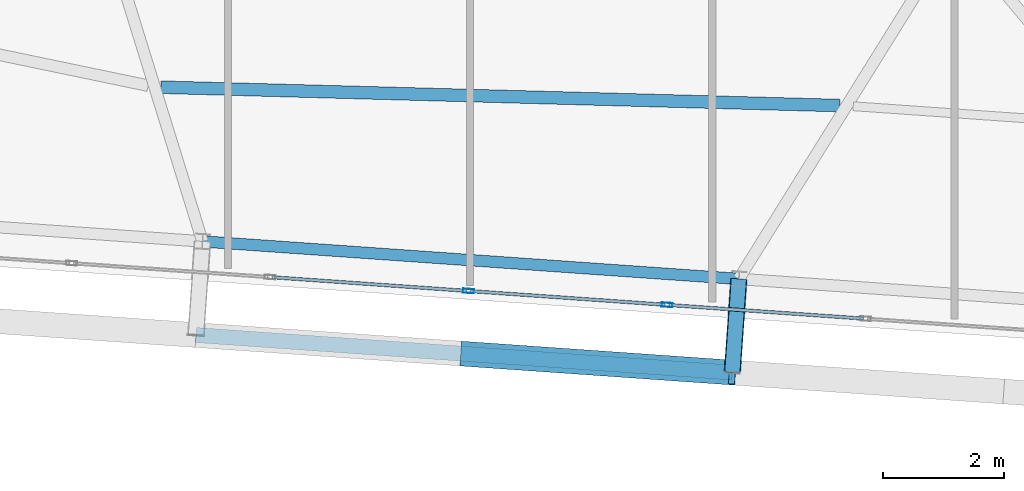
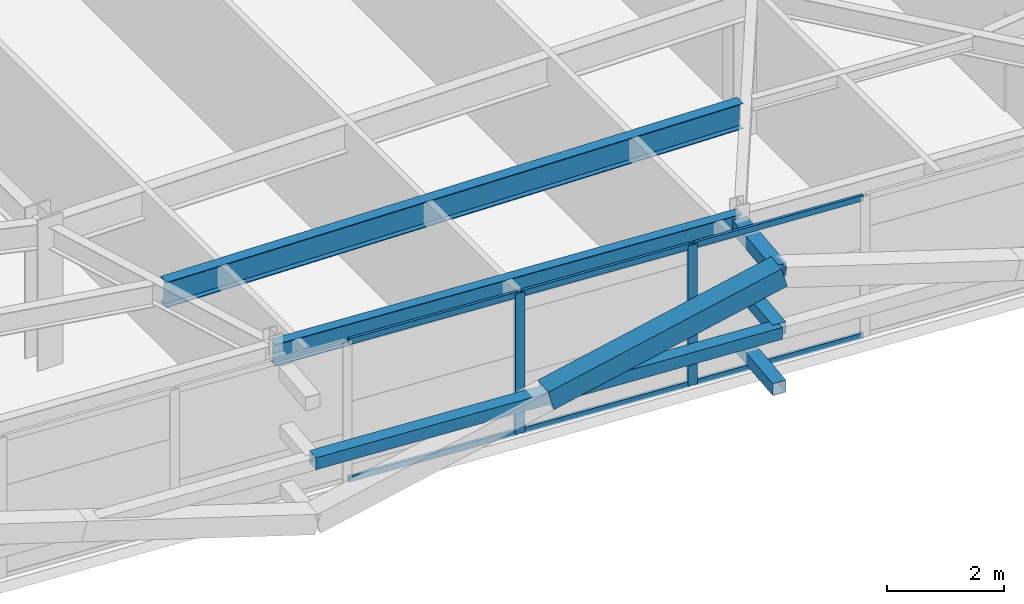
# One storey, part 12 of 47: 13 members, 2 beams, 1 element without a shape of its own.
"""IFC4 building model written with IfcOpenShell, lengths in metres."""

from ifc_helpers import new_model, si_unit, direction, frame, origin, origin_2d, place, context, subcontext, project, spatial, hollow_rectangle, i_section, extrude, source, transform, mapped, material, layer, layer_set, material_profile, profile_set, type_object, element, aggregate, save


model = new_model("IFC4")

# Units and contexts
model_context = context("Model", 3, precision=1e-05, world=origin(), true_north=direction((0.0, 1.0)))
body_context = subcontext(model_context, "Body", "Model", "MODEL_VIEW")
ifc_project = project(units=[si_unit("LENGTHUNIT", "METRE"), si_unit("AREAUNIT", "SQUARE_METRE"), si_unit("VOLUMEUNIT", "CUBIC_METRE"), si_unit("PLANEANGLEUNIT", "RADIAN"), si_unit("MASSUNIT", "GRAM", prefix="KILO")], contexts=[model_context])

# Site, building, storey
site_placement = place(None, origin())
site = spatial("IfcSite", under=ifc_project, at=site_placement, CompositionType="ELEMENT")
building_placement = place(site_placement, origin())
building = spatial("IfcBuilding", under=site, at=building_placement, Name="Taldren Reach Tower", CompositionType="ELEMENT")
storey_placement = place(building_placement, frame((0.0, 0.0, 139.300048828125)))
storey = spatial("IfcBuildingStorey", under=building, at=storey_placement, Name="L42", CompositionType="ELEMENT", Elevation=139.300048828125)

# Members
ifc_material_1 = material(Name="Steel Gr 450 (C450L0)", Category="steel")
ifc_material_profile_1 = material_profile(ifc_material_1, hollow_rectangle(XDim=0.27490234375, YDim=0.27490234375, WallThickness=0.00927734375, at=origin_2d()), Name="275x275x9.3SHS")
ifc_profile_set_1 = profile_set([ifc_material_profile_1], Name="Steel Gr 450 (C450L0)")
member_type_1 = type_object("IfcMemberType", Name="MB-TIE273", PredefinedType="STRUT", material=ifc_profile_set_1)
shared_shape_1 = source(origin(), body_context, "Body", "SweptSolid", [
    extrude(hollow_rectangle(XDim=0.27490234375, YDim=0.27490234375, WallThickness=0.00927734375, at=origin_2d()), origin(), (0.0, 0.0, 1.0), 1.550048828125),
])
member_1_placement = place(storey_placement, frame((38.438720703125, 3.480224609375, 2.64990234375), z_axis=(-0.06976957191, -0.99756313426, 0.0), x_axis=(0.99756313426, -0.06976957191, 0.0)))
element("IfcMember", 1, at=member_1_placement, inside=storey, type_object=member_type_1, Name="Exoskeleton diaphragm tie strut B3-S4 L42", PredefinedType="STRUT", context=body_context, shape_type="MappedRepresentation", body=[
    mapped(shared_shape_1, transform((0.0, 0.0, 0.0), scale=1.0)),
])
ifc_material_2 = material(Name="Steel Gr 350 (C350L0)", Category="steel")
ifc_material_profile_2 = material_profile(ifc_material_2, hollow_rectangle(XDim=0.25, YDim=0.25, WallThickness=0.010009765625, at=origin_2d()), Name="250x250x10.0SHS")
ifc_profile_set_2 = profile_set([ifc_material_profile_2], Name="Steel Gr 350 (C350L0)")
member_type_2 = type_object("IfcMemberType", Name="MB-POST250", PredefinedType="POST", material=ifc_profile_set_2)
shared_shape_2 = source(origin(), body_context, "Body", "SweptSolid", [
    extrude(hollow_rectangle(XDim=0.25, YDim=0.25, WallThickness=0.010009765625, at=origin_2d()), origin(), (0.0, 0.0, 1.0), 1.550048828125),
])
for number, where, z_axis, x_axis, name in (
    (2, (38.438720703125, 3.480224609375, 0.219970703125), (-0.06976957191, -0.99756313426, 0.0), (0.99756313426, -0.06976957191, 0.0), "Exoskeleton base diaphragm tie strut B3-S4 L42"),
    (3, (38.438720703125, 3.480224609375, 1.43505859375), (-0.06976957191, -0.99756313426, 0.0), (0.99756313426, -0.06976957191, 0.0), "Exoskeleton mid-tier diaphragm tie B3-S4 L42"),
):
    element("IfcMember", number, at=place(storey_placement, frame(where, z_axis=z_axis, x_axis=x_axis)), inside=storey, type_object=member_type_2, Name=name, PredefinedType="POST", context=body_context, shape_type="MappedRepresentation", body=[
        mapped(shared_shape_2, transform((0.0, 0.0, 0.0), scale=1.0)),
    ])

# Beams
ifc_material_3 = material(Name="Steel Gr 350 (350PLUS)", Category="steel")
ifc_material_profile_3 = material_profile(ifc_material_3, i_section(OverallWidth=0.18994140625, OverallDepth=0.4541015625, WebThickness=0.008544921875, FlangeThickness=0.0126953125, at=origin_2d()), Name="460UB67.1")
ifc_profile_set_3 = profile_set([ifc_material_profile_3], Name="Steel Gr 350 (350PLUS)")
beam_type_1 = type_object("IfcBeamType", Name="SP-UB460B", PredefinedType="SPANDREL", material=ifc_profile_set_3)
shared_shape_3 = source(origin(), body_context, "Body", "SweptSolid", [
    extrude(i_section(OverallWidth=0.18994140625, OverallDepth=0.4541015625, WebThickness=0.008544921875, FlangeThickness=0.0126953125, at=origin_2d()), origin(), (0.0, 0.0, 1.0), 8.880126953125),
])
beam_1_placement = place(storey_placement, frame((29.580322265625, 4.099609375, 2.702880859375), z_axis=(0.997564479639, -0.069750333063, 0.0), x_axis=(0.069750333063, 0.997564479639, 0.0)))
element("IfcBeam", 4, at=beam_1_placement, inside=storey, type_object=beam_type_1, Name="Perimeter spandrel B3 S3-S4 L42", PredefinedType="SPANDREL", context=body_context, shape_type="MappedRepresentation", body=[
    mapped(shared_shape_3, transform((0.0, 0.0, 0.0), scale=1.0)),
])
ifc_material_profile_4 = material_profile(ifc_material_3, i_section(OverallWidth=0.208984375, OverallDepth=0.532958984375, WebThickness=0.01025390625, FlangeThickness=0.015625, at=origin_2d()), Name="530UB92.4")
ifc_profile_set_4 = profile_set([ifc_material_profile_4], Name="Steel Gr 350 (350PLUS)")
beam_type_2 = type_object("IfcBeamType", Name="BM-UB530A", PredefinedType="BEAM", material=ifc_profile_set_4)
shared_shape_4 = source(origin(), body_context, "Body", "SweptSolid", [
    extrude(i_section(OverallWidth=0.208984375, OverallDepth=0.532958984375, WebThickness=0.01025390625, FlangeThickness=0.015625, at=origin_2d()), origin(), (0.0, 0.0, 1.0), 11.221923828125),
])
beam_2_placement = place(storey_placement, frame((28.890869140625, 6.64697265625, 2.663330078125), z_axis=(0.999633109536, -0.027085906272, 0.0), x_axis=(0.027085906272, 0.999633109536, 0.0)))
element("IfcBeam", 5, at=beam_2_placement, inside=storey, type_object=beam_type_2, Name="Secondary floor beam B3 J3 L42", PredefinedType="BEAM", context=body_context, shape_type="MappedRepresentation", body=[
    mapped(shared_shape_4, transform((0.0, 0.0, 0.0), scale=1.0)),
])

# Members
shared_shape_5 = source(origin(), body_context, "Body", "SweptSolid", [
    extrude(hollow_rectangle(XDim=0.25, YDim=0.25, WallThickness=0.010009765625, at=origin_2d()), origin(), (0.0, 0.0, 1.0), 8.880126953125),
])
member_2_placement = place(storey_placement, frame((29.47216796875, 2.55322265625, 1.43505859375), z_axis=(0.997564479639, -0.069750333063, 0.0), x_axis=(0.069750333063, 0.997564479639, 0.0)))
element("IfcMember", 6, at=member_2_placement, inside=storey, type_object=member_type_2, Name="Exoskeleton mid-height ring chord B3-S3 L42", PredefinedType="POST", context=body_context, shape_type="MappedRepresentation", body=[
    mapped(shared_shape_5, transform((0.0, 0.0, 0.0), scale=1.0)),
])
ifc_material_profile_5 = material_profile(ifc_material_1, hollow_rectangle(XDim=0.409912109375, YDim=0.409912109375, WallThickness=0.01611328125, at=origin_2d()), Name="410x410x16.0SHS")
ifc_profile_set_5 = profile_set([ifc_material_profile_5], Name="Steel Gr 450 (C450L0)")
member_type_3 = type_object("IfcMemberType", Name="MB-EXO406", PredefinedType="BRACE", material=ifc_profile_set_5)
shared_shape_6 = source(origin(), body_context, "Body", "SweptSolid", [
    extrude(hollow_rectangle(XDim=0.409912109375, YDim=0.409912109375, WallThickness=0.01611328125, at=origin_2d()), origin(), (0.0, 0.0, 1.0), 4.603271484375),
])
member_3_placement = place(storey_placement, frame((33.9013671875, 2.24365234375, 1.43505859375), z_axis=(0.962195820062, -0.067303852699, 0.263911718699), x_axis=(0.06977769246, 0.997562566276, 0.0)))
element("IfcMember", 7, at=member_3_placement, inside=storey, type_object=member_type_3, Name="Exoskeleton Diagrid Brace B3-S3 L42", PredefinedType="BRACE", context=body_context, shape_type="MappedRepresentation", body=[
    mapped(shared_shape_6, transform((0.0, 0.0, 0.0), scale=1.0)),
])

# Curtain wall, members
ifc_material_4 = material(Name="Aluminium and Low-E Glass Unitised System", Category="aluminium")
ifc_layer = layer(ifc_material_4, 0.159912109375)
ifc_layer_set = layer_set([ifc_layer], Name="Aluminium and Low-E Glass Unitised System")
curtain_wall_type = type_object("IfcCurtainWallType", Name="CW-SYS-4", PredefinedType="NOTDEFINED", material=ifc_layer_set)
curtain_wall_placement = place(storey_placement, origin())
curtain_wall = element("IfcCurtainWall", 8, at=curtain_wall_placement, inside=storey, type_object=curtain_wall_type, Name="Unitised curtain wall CW-L42-S", PredefinedType="NOTDEFINED")
ifc_material_5 = material(Name="Anodised Aluminium 6063-T6", Category="aluminium")
ifc_material_profile_6 = material_profile(ifc_material_5, hollow_rectangle(XDim=0.070068359375, YDim=0.179931640625, WallThickness=0.00390625, at=origin_2d()), Name="ALU-180x70x4RHS")
ifc_profile_set_6 = profile_set([ifc_material_profile_6], Name="Anodised Aluminium 6063-T6")
member_type_4 = type_object("IfcMemberType", Name="CW-MUL-180", PredefinedType="MULLION", material=ifc_profile_set_6)
shared_shape_7 = source(origin(), body_context, "Body", "SweptSolid", [
    extrude(hollow_rectangle(XDim=0.070068359375, YDim=0.179931640625, WallThickness=0.00390625, at=origin_2d()), origin(), (0.0, 0.0, 1.0), 2.929931640625),
])
member_4_placement = place(storey_placement, frame((33.973876953125, 3.281005859375, 0.0), z_axis=(0.0, 0.0, 1.0), x_axis=(0.06975651593, 0.99756404731, 0.0)))
member_4 = element("IfcMember", 9, at=member_4_placement, type_object=member_type_4, Name="CW-4 mullion 8", PredefinedType="MULLION", context=body_context, shape_type="MappedRepresentation", body=[
    mapped(shared_shape_7, transform((0.0, 0.0, 0.0), scale=1.0)),
])
member_5_placement = place(storey_placement, frame((37.251708984375, 3.0517578125, 0.0), z_axis=(0.0, 0.0, 1.0), x_axis=(0.06975651593, 0.99756404731, 0.0)))
member_5 = element("IfcMember", 10, at=member_5_placement, type_object=member_type_4, Name="CW-4 mullion 9", PredefinedType="MULLION", context=body_context, shape_type="MappedRepresentation", body=[
    mapped(shared_shape_7, transform((0.0, 0.0, 0.0), scale=1.0)),
])
ifc_material_profile_7 = material_profile(ifc_material_5, hollow_rectangle(XDim=0.054931640625, YDim=0.1201171875, WallThickness=0.0029296875, at=origin_2d()), Name="ALU-120x55x3RHS")
ifc_profile_set_7 = profile_set([ifc_material_profile_7], Name="Anodised Aluminium 6063-T6")
member_type_5 = type_object("IfcMemberType", Name="CW-TRN-135", PredefinedType="USERDEFINED", material=ifc_profile_set_7)
shared_shape_8 = source(origin(), body_context, "Body", "SweptSolid", [
    extrude(hollow_rectangle(XDim=0.054931640625, YDim=0.1201171875, WallThickness=0.0029296875, at=origin_2d()), origin(), (0.0, 0.0, 1.0), 3.2158203125),
])
member_6_placement = place(storey_placement, frame((34.0087890625, 3.278564453125, 0.02734375), z_axis=(0.997563195991, -0.069768689278, 0.0), x_axis=(0.069768689278, 0.997563195991, 0.0)))
member_6 = element("IfcMember", 11, at=member_6_placement, type_object=member_type_5, Name="CW-4 transom 8.1", ObjectType="TRANSOM", PredefinedType="USERDEFINED", context=body_context, shape_type="MappedRepresentation", body=[
    mapped(shared_shape_8, transform((0.0, 0.0, 0.0), scale=1.0)),
])
member_7_placement = place(storey_placement, frame((34.0087890625, 3.278564453125, 2.90234375), z_axis=(0.997563195991, -0.069768689278, 0.0), x_axis=(0.069768689278, 0.997563195991, 0.0)))
member_7 = element("IfcMember", 12, at=member_7_placement, type_object=member_type_5, Name="CW-4 transom 8.2", ObjectType="TRANSOM", PredefinedType="USERDEFINED", context=body_context, shape_type="MappedRepresentation", body=[
    mapped(shared_shape_8, transform((0.0, 0.0, 0.0), scale=1.0)),
])
shared_shape_9 = source(origin(), body_context, "Body", "SweptSolid", [
    extrude(hollow_rectangle(XDim=0.054931640625, YDim=0.1201171875, WallThickness=0.0029296875, at=origin_2d()), origin(), (0.0, 0.0, 1.0), 3.215576171875),
])
member_8_placement = place(storey_placement, frame((30.731201171875, 3.5078125, 0.02734375), z_axis=(0.997562826405, -0.069773973473, 0.0), x_axis=(0.069773973473, 0.997562826405, 0.0)))
member_8 = element("IfcMember", 13, at=member_8_placement, type_object=member_type_5, Name="CW-4 transom 7.1", ObjectType="TRANSOM", PredefinedType="USERDEFINED", context=body_context, shape_type="MappedRepresentation", body=[
    mapped(shared_shape_9, transform((0.0, 0.0, 0.0), scale=1.0)),
])
member_9_placement = place(storey_placement, frame((30.731201171875, 3.5078125, 2.90234375), z_axis=(0.997562826405, -0.069773973473, 0.0), x_axis=(0.069773973473, 0.997562826405, 0.0)))
member_9 = element("IfcMember", 14, at=member_9_placement, type_object=member_type_5, Name="CW-4 transom 7.2", ObjectType="TRANSOM", PredefinedType="USERDEFINED", context=body_context, shape_type="MappedRepresentation", body=[
    mapped(shared_shape_9, transform((0.0, 0.0, 0.0), scale=1.0)),
])
member_10_placement = place(storey_placement, frame((37.28662109375, 3.04931640625, 0.02734375), z_axis=(0.997568108166, -0.0696984187, 0.0), x_axis=(0.0696984187, 0.997568108166, 0.0)))
member_10 = element("IfcMember", 15, at=member_10_placement, type_object=member_type_5, Name="CW-4 transom 9.1", ObjectType="TRANSOM", PredefinedType="USERDEFINED", context=body_context, shape_type="MappedRepresentation", body=[
    mapped(shared_shape_9, transform((0.0, 0.0, 0.0), scale=1.0)),
])
member_11_placement = place(storey_placement, frame((37.28662109375, 3.04931640625, 2.90234375), z_axis=(0.997568108166, -0.0696984187, 0.0), x_axis=(0.0696984187, 0.997568108166, 0.0)))
member_11 = element("IfcMember", 16, at=member_11_placement, type_object=member_type_5, Name="CW-4 transom 9.2", ObjectType="TRANSOM", PredefinedType="USERDEFINED", context=body_context, shape_type="MappedRepresentation", body=[
    mapped(shared_shape_9, transform((0.0, 0.0, 0.0), scale=1.0)),
])
aggregate(curtain_wall, [member_4, member_5, member_8, member_9, member_6, member_7, member_10, member_11])

save(model, "model.ifc")
